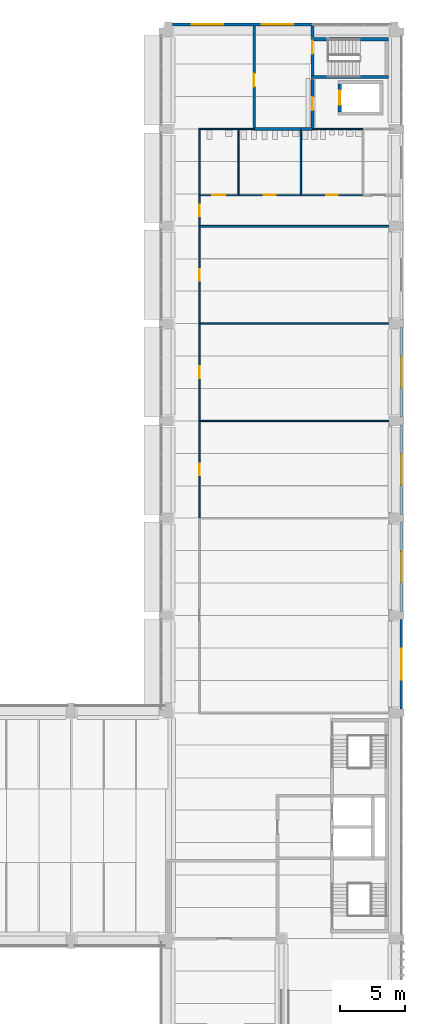
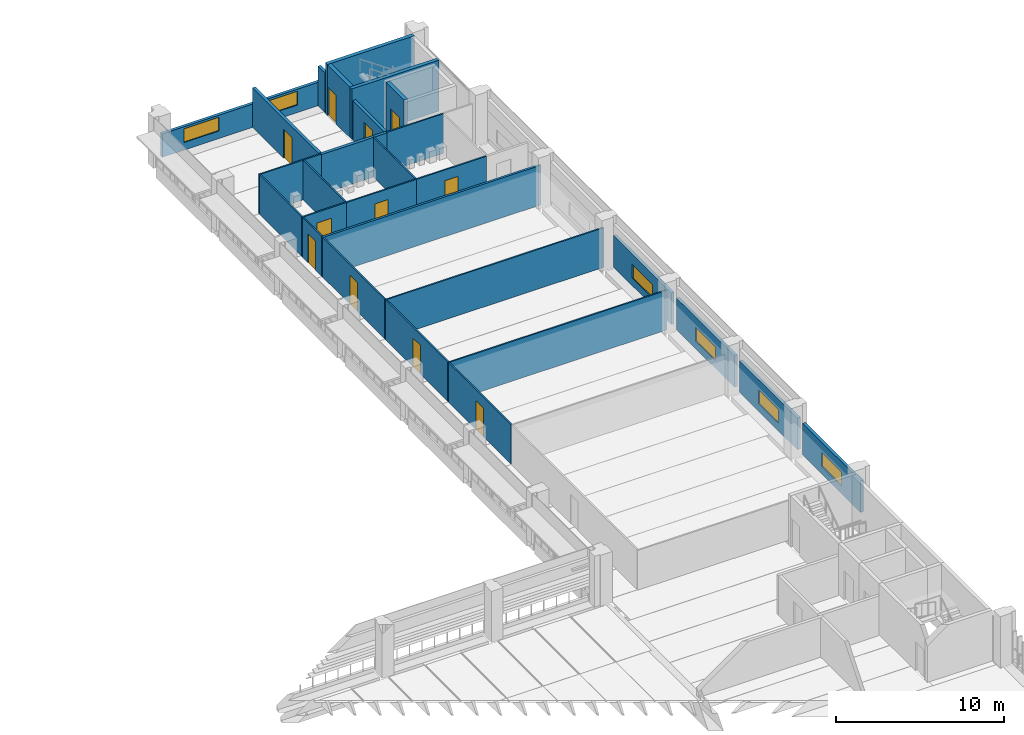
# One storey, part 38 of 61: 30 walls, 11 doors, 6 windows, 17 openings.
"""IFC4 building model written with IfcOpenShell, lengths in metres."""

from ifc_helpers import new_model, si_unit, direction, frame, frame_2d, origin, place, context, subcontext, project, spatial, rectangle, extrude, material, layer, layer_set, type_object, element, fill, save


model = new_model("IFC4")

# Units and contexts
model_context = context("Model", 3, precision=1e-05, world=origin(), true_north=direction((0.0, 1.0)))
body_context = subcontext(model_context, "Body", "Model", "MODEL_VIEW")
ifc_project = project(units=[si_unit("LENGTHUNIT", "METRE"), si_unit("AREAUNIT", "SQUARE_METRE"), si_unit("VOLUMEUNIT", "CUBIC_METRE"), si_unit("PLANEANGLEUNIT", "RADIAN"), si_unit("MASSUNIT", "GRAM", prefix="KILO")], contexts=[model_context])

# Site, building, storey
site_placement = place(None, origin())
site = spatial("IfcSite", under=ifc_project, at=site_placement, CompositionType="ELEMENT")
building_placement = place(site_placement, origin())
building = spatial("IfcBuilding", under=site, at=building_placement, Name="Cour d'Honneur Mobility Palace", CompositionType="ELEMENT")
storey_placement = place(building_placement, frame((0.0, 0.0, 11.89990234375)))
storey = spatial("IfcBuildingStorey", under=building, at=storey_placement, Name="L03", CompositionType="ELEMENT", Elevation=11.89990234375)

# Wall, opening, door
ifc_material_1 = material(Name="Concrete C50", Category="concrete")
ifc_layer_1 = layer(ifc_material_1, 0.25)
ifc_layer_set_1 = layer_set([ifc_layer_1], Name="Concrete C50")
wall_type_1 = type_object("IfcWallType", Name="Lift shaft wall 250", PredefinedType="SHEAR", material=ifc_layer_set_1)
wall_1_placement = place(storey_placement, frame((158.10009765625, 108.72509765625, 0.0), z_axis=(0.0, 0.0, 1.0), x_axis=(0.0, 1.0, 0.0)))
wall_1 = element("IfcWall", 1, at=wall_1_placement, inside=storey, type_object=wall_type_1, Name="Lift shaft wall WL-NE6 L03", PredefinedType="SHEAR", context=body_context, shape_type="SweptSolid", body=[
    extrude(rectangle(XDim=2.14990234375, YDim=0.25, at=frame_2d((1.074951171875, 0.0))), origin(), (0.0, 0.0, 1.0), 3.7001953125),
])
opening_1_placement = place(wall_1_placement, frame((0.52490234375, 0.0, 0.0)))
opening_1 = element("IfcOpeningElement", 2, at=opening_1_placement, cuts=wall_1, Name="Opening LD62", PredefinedType="OPENING", context=body_context, shape_type="SweptSolid", body=[
    extrude(rectangle(XDim=1.10009765625, YDim=2.10009765625, at=frame_2d((0.550048828125, 1.050048828125))), frame((0.0, 0.135009765625, 0.0), z_axis=(0.0, -1.0, 0.0), x_axis=(1.0, 0.0, 0.0)), (0.0, 0.0, 1.0), 0.27001953125),
])
ifc_material_2 = material(Name="Stainless steel", Category="steel")
door_type_1 = type_object("IfcDoorType", Name="Landing door 1100 x 2100", OperationType="SLIDING_TO_LEFT", PredefinedType="DOOR", material=ifc_material_2)
door_1_placement = place(opening_1_placement, origin())
door_1 = element("IfcDoor", 3, at=door_1_placement, inside=storey, type_object=door_type_1, Name="Landing door LF-NE1 L03", OperationType="SLIDING_TO_LEFT", OverallHeight=2.10009765625, OverallWidth=1.10009765625, PredefinedType="DOOR", context=body_context, shape_type="SweptSolid", body=[
    extrude(rectangle(XDim=1.10009765625, YDim=2.10009765625, at=frame_2d((0.550048828125, 1.050048828125))), frame((0.0, 0.02490234375, 0.0), z_axis=(0.0, -1.0, 0.0), x_axis=(1.0, 0.0, 0.0)), (0.0, 0.0, 1.0), 0.050048828125),
])
fill(opening_1, door_1)

ifc_material_3 = material(Name="Concrete C50", Category="concrete")
ifc_layer_2 = layer(ifc_material_3, 0.199951171875)
ifc_layer_set_2 = layer_set([ifc_layer_2], Name="Concrete C50")
wall_type_2 = type_object("IfcWallType", Name="Load-bearing lobby wall 200 rated EI 120", PredefinedType="PARTITIONING", material=ifc_layer_set_2)
wall_2_placement = place(storey_placement, frame((156.0, 107.5, 0.0), z_axis=(0.0, 0.0, 1.0), x_axis=(0.0, 1.0, 0.0)))
wall_2 = element("IfcWall", 4, at=wall_2_placement, inside=storey, type_object=wall_type_2, Name="Partition 083", PredefinedType="PARTITIONING", context=body_context, shape_type="SweptSolid", body=[
    extrude(rectangle(XDim=3.72509765625, YDim=0.199951171875, at=frame_2d((1.862548828125, 0.0))), origin(), (0.0, 0.0, 1.0), 2.880126953125),
])
opening_2_placement = place(wall_2_placement, frame((1.362548828125, 0.0, 0.0)))
opening_2 = element("IfcOpeningElement", 5, at=opening_2_placement, cuts=wall_2, Name="Opening D0331", PredefinedType="OPENING", context=body_context, shape_type="SweptSolid", body=[
    extrude(rectangle(XDim=1.0, YDim=2.10009765625, at=frame_2d((0.5, 1.050048828125))), frame((0.0, 0.10986328125, 0.0), z_axis=(0.0, -1.0, 0.0), x_axis=(1.0, 0.0, 0.0)), (0.0, 0.0, 1.0), 0.219970703125),
])
ifc_material_4 = material(Name="Galvanised steel", Category="steel")
door_type_2 = type_object("IfcDoorType", Name="Fire door FD120 1000 x 2100", OperationType="SINGLE_SWING_LEFT", PredefinedType="DOOR", material=ifc_material_4)
door_2_placement = place(opening_2_placement, origin())
door_2 = element("IfcDoor", 6, at=door_2_placement, inside=storey, type_object=door_type_2, Name="Door Lift Lobby", OperationType="SINGLE_SWING_RIGHT", OverallHeight=2.10009765625, OverallWidth=1.0, PredefinedType="DOOR", context=body_context, shape_type="SweptSolid", body=[
    extrude(rectangle(XDim=1.0, YDim=2.10009765625, at=frame_2d((0.5, 1.050048828125))), frame((0.0, 0.02490234375, 0.0), z_axis=(0.0, -1.0, 0.0), x_axis=(1.0, 0.0, 0.0)), (0.0, 0.0, 1.0), 0.050048828125),
])
fill(opening_2, door_2)

ifc_material_5 = material(Name="Gypsum plasterboard")
ifc_layer_3 = layer(ifc_material_5, 0.10009765625)
ifc_layer_set_3 = layer_set([ifc_layer_3], Name="Gypsum plasterboard")
wall_type_3 = type_object("IfcWallType", Name="Partition 100", PredefinedType="PARTITIONING", material=ifc_layer_set_3)
wall_3_placement = place(storey_placement, frame((147.300048828125, 84.85009765625, 0.0), z_axis=(0.0, 0.0, 1.0), x_axis=(0.0, -1.0, 0.0)))
wall_3 = element("IfcWall", 7, at=wall_3_placement, inside=storey, type_object=wall_type_3, Name="Partition 048", PredefinedType="PARTITIONING", context=body_context, shape_type="SweptSolid", body=[
    extrude(rectangle(XDim=7.400146484375, YDim=0.10009765625, at=frame_2d((3.7001953125, 0.0))), origin(), (0.0, 0.0, 1.0), 2.880126953125),
])
opening_3_placement = place(wall_3_placement, frame((3.25, 0.0, 0.0)))
opening_3 = element("IfcOpeningElement", 8, at=opening_3_placement, cuts=wall_3, Name="Opening D0321", PredefinedType="OPENING", context=body_context, shape_type="SweptSolid", body=[
    extrude(rectangle(XDim=0.89990234375, YDim=2.10009765625, at=frame_2d((0.449951171875, 1.050048828125))), frame((0.0, 0.06005859375, 0.0), z_axis=(0.0, -1.0, 0.0), x_axis=(1.0, 0.0, 0.0)), (0.0, 0.0, 1.0), 0.1201171875),
])
ifc_material_6 = material(Name="Solid timber", Category="wood")
door_type_3 = type_object("IfcDoorType", Name="Single door 900 x 2100", OperationType="SINGLE_SWING_LEFT", PredefinedType="DOOR", material=ifc_material_6)
door_3_placement = place(opening_3_placement, origin())
door_3 = element("IfcDoor", 9, at=door_3_placement, inside=storey, type_object=door_type_3, Name="Door Staff Room", OperationType="SINGLE_SWING_LEFT", OverallHeight=2.10009765625, OverallWidth=0.89990234375, PredefinedType="DOOR", context=body_context, shape_type="SweptSolid", body=[
    extrude(rectangle(XDim=0.89990234375, YDim=2.10009765625, at=frame_2d((0.449951171875, 1.050048828125))), frame((0.0, 0.02490234375, 0.0), z_axis=(0.0, -1.0, 0.0), x_axis=(1.0, 0.0, 0.0)), (0.0, 0.0, 1.0), 0.050048828125),
])
fill(opening_3, door_3)

# Wall
wall_4_placement = place(storey_placement, frame((162.239990234375, 84.89990234375, 0.0), z_axis=(0.0, 0.0, 1.0), x_axis=(-1.0, 0.0, 0.0)))
element("IfcWall", 10, at=wall_4_placement, inside=storey, type_object=wall_type_3, Name="Partition 049", PredefinedType="PARTITIONING", context=body_context, shape_type="SweptSolid", body=[
    extrude(rectangle(XDim=14.989990234375, YDim=0.10009765625, at=frame_2d((7.4951171875, 0.0))), origin(), (0.0, 0.0, 1.0), 2.880126953125),
])

# Wall, opening, door
wall_5_placement = place(storey_placement, frame((147.300048828125, 92.35009765625, 0.0), z_axis=(0.0, 0.0, 1.0), x_axis=(0.0, -1.0, 0.0)))
wall_5 = element("IfcWall", 11, at=wall_5_placement, inside=storey, type_object=wall_type_3, Name="Partition 050", PredefinedType="PARTITIONING", context=body_context, shape_type="SweptSolid", body=[
    extrude(rectangle(XDim=7.400146484375, YDim=0.10009765625, at=frame_2d((3.7001953125, 0.0))), origin(), (0.0, 0.0, 1.0), 2.880126953125),
])
opening_4_placement = place(wall_5_placement, frame((3.25, 0.0, 0.0)))
opening_4 = element("IfcOpeningElement", 12, at=opening_4_placement, cuts=wall_5, Name="Opening D0322", PredefinedType="OPENING", context=body_context, shape_type="SweptSolid", body=[
    extrude(rectangle(XDim=0.89990234375, YDim=2.10009765625, at=frame_2d((0.449951171875, 1.050048828125))), frame((0.0, 0.06005859375, 0.0), z_axis=(0.0, -1.0, 0.0), x_axis=(1.0, 0.0, 0.0)), (0.0, 0.0, 1.0), 0.1201171875),
])
door_4_placement = place(opening_4_placement, origin())
door_4 = element("IfcDoor", 13, at=door_4_placement, inside=storey, type_object=door_type_3, Name="Door Staff Locker Room", OperationType="SINGLE_SWING_LEFT", OverallHeight=2.10009765625, OverallWidth=0.89990234375, PredefinedType="DOOR", context=body_context, shape_type="SweptSolid", body=[
    extrude(rectangle(XDim=0.89990234375, YDim=2.10009765625, at=frame_2d((0.449951171875, 1.050048828125))), frame((0.0, 0.02490234375, 0.0), z_axis=(0.0, -1.0, 0.0), x_axis=(1.0, 0.0, 0.0)), (0.0, 0.0, 1.0), 0.050048828125),
])
fill(opening_4, door_4)

# Wall
wall_6_placement = place(storey_placement, frame((162.239990234375, 92.39990234375, 0.0), z_axis=(0.0, 0.0, 1.0), x_axis=(-1.0, 0.0, 0.0)))
element("IfcWall", 14, at=wall_6_placement, inside=storey, type_object=wall_type_3, Name="Partition 051", PredefinedType="PARTITIONING", context=body_context, shape_type="SweptSolid", body=[
    extrude(rectangle(XDim=14.989990234375, YDim=0.10009765625, at=frame_2d((7.4951171875, 0.0))), origin(), (0.0, 0.0, 1.0), 2.880126953125),
])

# Wall, opening, door
wall_7_placement = place(storey_placement, frame((147.300048828125, 99.824951171875, 0.0), z_axis=(0.0, 0.0, 1.0), x_axis=(0.0, -1.0, 0.0)))
wall_7 = element("IfcWall", 15, at=wall_7_placement, inside=storey, type_object=wall_type_3, Name="Partition 054", PredefinedType="PARTITIONING", context=body_context, shape_type="SweptSolid", body=[
    extrude(rectangle(XDim=7.375, YDim=0.10009765625, at=frame_2d((3.6875, 0.0))), origin(), (0.0, 0.0, 1.0), 2.880126953125),
])
opening_5_placement = place(wall_7_placement, frame((3.237548828125, 0.0, 0.0)))
opening_5 = element("IfcOpeningElement", 16, at=opening_5_placement, cuts=wall_7, Name="Opening D0323", PredefinedType="OPENING", context=body_context, shape_type="SweptSolid", body=[
    extrude(rectangle(XDim=0.89990234375, YDim=2.10009765625, at=frame_2d((0.449951171875, 1.050048828125))), frame((0.0, 0.06005859375, 0.0), z_axis=(0.0, -1.0, 0.0), x_axis=(1.0, 0.0, 0.0)), (0.0, 0.0, 1.0), 0.1201171875),
])
door_5_placement = place(opening_5_placement, origin())
door_5 = element("IfcDoor", 17, at=door_5_placement, inside=storey, type_object=door_type_3, Name="Door Service Centre Office", OperationType="SINGLE_SWING_LEFT", OverallHeight=2.10009765625, OverallWidth=0.89990234375, PredefinedType="DOOR", context=body_context, shape_type="SweptSolid", body=[
    extrude(rectangle(XDim=0.89990234375, YDim=2.10009765625, at=frame_2d((0.449951171875, 1.050048828125))), frame((0.0, 0.02490234375, 0.0), z_axis=(0.0, -1.0, 0.0), x_axis=(1.0, 0.0, 0.0)), (0.0, 0.0, 1.0), 0.050048828125),
])
fill(opening_5, door_5)

wall_8_placement = place(storey_placement, frame((147.300048828125, 102.25, 0.0), z_axis=(0.0, 0.0, 1.0), x_axis=(0.0, -1.0, 0.0)))
wall_8 = element("IfcWall", 18, at=wall_8_placement, inside=storey, type_object=wall_type_3, Name="Partition 064", PredefinedType="PARTITIONING", context=body_context, shape_type="SweptSolid", body=[
    extrude(rectangle(XDim=2.27490234375, YDim=0.10009765625, at=frame_2d((1.137451171875, 0.0))), origin(), (0.0, 0.0, 1.0), 2.880126953125),
])
opening_6_placement = place(wall_8_placement, frame((0.6875, 0.0, 0.0)))
opening_6 = element("IfcOpeningElement", 19, at=opening_6_placement, cuts=wall_8, Name="Opening D0324", PredefinedType="OPENING", context=body_context, shape_type="SweptSolid", body=[
    extrude(rectangle(XDim=0.89990234375, YDim=2.10009765625, at=frame_2d((0.449951171875, 1.050048828125))), frame((0.0, 0.06005859375, 0.0), z_axis=(0.0, -1.0, 0.0), x_axis=(1.0, 0.0, 0.0)), (0.0, 0.0, 1.0), 0.1201171875),
])
door_6_placement = place(opening_6_placement, origin())
door_6 = element("IfcDoor", 20, at=door_6_placement, inside=storey, type_object=door_type_3, Name="Door WC Corridor East", OperationType="SINGLE_SWING_LEFT", OverallHeight=2.10009765625, OverallWidth=0.89990234375, PredefinedType="DOOR", context=body_context, shape_type="SweptSolid", body=[
    extrude(rectangle(XDim=0.89990234375, YDim=2.10009765625, at=frame_2d((0.449951171875, 1.050048828125))), frame((0.0, 0.02490234375, 0.0), z_axis=(0.0, -1.0, 0.0), x_axis=(1.0, 0.0, 0.0)), (0.0, 0.0, 1.0), 0.050048828125),
])
fill(opening_6, door_6)

wall_9_placement = place(storey_placement, frame((150.300048828125, 102.300048828125, 0.0), z_axis=(0.0, 0.0, 1.0), x_axis=(-1.0, 0.0, 0.0)))
wall_9 = element("IfcWall", 21, at=wall_9_placement, inside=storey, type_object=wall_type_3, Name="Partition 065", PredefinedType="PARTITIONING", context=body_context, shape_type="SweptSolid", body=[
    extrude(rectangle(XDim=3.050048828125, YDim=0.10009765625, at=frame_2d((1.52490234375, 0.0))), origin(), (0.0, 0.0, 1.0), 2.880126953125),
])
opening_7_placement = place(wall_9_placement, frame((1.02490234375, 0.0, 0.0)))
opening_7 = element("IfcOpeningElement", 22, at=opening_7_placement, cuts=wall_9, Name="Opening D0328", PredefinedType="OPENING", context=body_context, shape_type="SweptSolid", body=[
    extrude(rectangle(XDim=1.0, YDim=2.10009765625, at=frame_2d((0.5, 1.050048828125))), frame((0.0, 0.06005859375, 0.0), z_axis=(0.0, -1.0, 0.0), x_axis=(1.0, 0.0, 0.0)), (0.0, 0.0, 1.0), 0.1201171875),
])
ifc_material_7 = material(Name="Solid timber", Category="wood")
door_type_4 = type_object("IfcDoorType", Name="Accessible door 1000 x 2100", OperationType="SINGLE_SWING_LEFT", PredefinedType="DOOR", material=ifc_material_7)
door_7_placement = place(opening_7_placement, origin())
door_7 = element("IfcDoor", 23, at=door_7_placement, inside=storey, type_object=door_type_4, Name="Door Accessible WC East", OperationType="SINGLE_SWING_RIGHT", OverallHeight=2.10009765625, OverallWidth=1.0, PredefinedType="DOOR", context=body_context, shape_type="SweptSolid", body=[
    extrude(rectangle(XDim=1.0, YDim=2.10009765625, at=frame_2d((0.5, 1.050048828125))), frame((0.0, 0.02490234375, 0.0), z_axis=(0.0, -1.0, 0.0), x_axis=(1.0, 0.0, 0.0)), (0.0, 0.0, 1.0), 0.050048828125),
])
fill(opening_7, door_7)

wall_10_placement = place(storey_placement, frame((155.10009765625, 102.300048828125, 0.0), z_axis=(0.0, 0.0, 1.0), x_axis=(-1.0, 0.0, 0.0)))
wall_10 = element("IfcWall", 24, at=wall_10_placement, inside=storey, type_object=wall_type_3, Name="Partition 066", PredefinedType="PARTITIONING", context=body_context, shape_type="SweptSolid", body=[
    extrude(rectangle(XDim=4.800048828125, YDim=0.10009765625, at=frame_2d((2.39990234375, 0.0))), origin(), (0.0, 0.0, 1.0), 2.880126953125),
])
opening_8_placement = place(wall_10_placement, frame((1.949951171875, 0.0, 0.0)))
opening_8 = element("IfcOpeningElement", 25, at=opening_8_placement, cuts=wall_10, Name="Opening D0327", PredefinedType="OPENING", context=body_context, shape_type="SweptSolid", body=[
    extrude(rectangle(XDim=0.89990234375, YDim=2.10009765625, at=frame_2d((0.449951171875, 1.050048828125))), frame((0.0, 0.06005859375, 0.0), z_axis=(0.0, -1.0, 0.0), x_axis=(1.0, 0.0, 0.0)), (0.0, 0.0, 1.0), 0.1201171875),
])
door_8_placement = place(opening_8_placement, origin())
door_8 = element("IfcDoor", 26, at=door_8_placement, inside=storey, type_object=door_type_3, Name="Door WC Women East", OperationType="SINGLE_SWING_LEFT", OverallHeight=2.10009765625, OverallWidth=0.89990234375, PredefinedType="DOOR", context=body_context, shape_type="SweptSolid", body=[
    extrude(rectangle(XDim=0.89990234375, YDim=2.10009765625, at=frame_2d((0.449951171875, 1.050048828125))), frame((0.0, 0.02490234375, 0.0), z_axis=(0.0, -1.0, 0.0), x_axis=(1.0, 0.0, 0.0)), (0.0, 0.0, 1.0), 0.050048828125),
])
fill(opening_8, door_8)

wall_11_placement = place(storey_placement, frame((159.89990234375, 102.300048828125, 0.0), z_axis=(0.0, 0.0, 1.0), x_axis=(-1.0, 0.0, 0.0)))
wall_11 = element("IfcWall", 27, at=wall_11_placement, inside=storey, type_object=wall_type_3, Name="Partition 067", PredefinedType="PARTITIONING", context=body_context, shape_type="SweptSolid", body=[
    extrude(rectangle(XDim=4.7998046875, YDim=0.10009765625, at=frame_2d((2.39990234375, 0.0))), origin(), (0.0, 0.0, 1.0), 2.880126953125),
])
opening_9_placement = place(wall_11_placement, frame((1.949951171875, 0.0, 0.0)))
opening_9 = element("IfcOpeningElement", 28, at=opening_9_placement, cuts=wall_11, Name="Opening D0326", PredefinedType="OPENING", context=body_context, shape_type="SweptSolid", body=[
    extrude(rectangle(XDim=0.89990234375, YDim=2.10009765625, at=frame_2d((0.449951171875, 1.050048828125))), frame((0.0, 0.06005859375, 0.0), z_axis=(0.0, -1.0, 0.0), x_axis=(1.0, 0.0, 0.0)), (0.0, 0.0, 1.0), 0.1201171875),
])
door_9_placement = place(opening_9_placement, origin())
door_9 = element("IfcDoor", 29, at=door_9_placement, inside=storey, type_object=door_type_3, Name="Door WC Men East", OperationType="SINGLE_SWING_LEFT", OverallHeight=2.10009765625, OverallWidth=0.89990234375, PredefinedType="DOOR", context=body_context, shape_type="SweptSolid", body=[
    extrude(rectangle(XDim=0.89990234375, YDim=2.10009765625, at=frame_2d((0.449951171875, 1.050048828125))), frame((0.0, 0.02490234375, 0.0), z_axis=(0.0, -1.0, 0.0), x_axis=(1.0, 0.0, 0.0)), (0.0, 0.0, 1.0), 0.050048828125),
])
fill(opening_9, door_9)

# Walls
for number, where, z_axis, x_axis, name in (
    (30, (147.300048828125, 107.35009765625, 0.0), (0.0, 0.0, 1.0), (0.0, -1.0, 0.0), "Partition 076"),
    (31, (150.300048828125, 107.35009765625, 0.0), (0.0, 0.0, 1.0), (0.0, -1.0, 0.0), "Partition 077"),
):
    element("IfcWall", number, at=place(storey_placement, frame(where, z_axis=z_axis, x_axis=x_axis)), inside=storey, type_object=wall_type_3, Name=name, PredefinedType="PARTITIONING", context=body_context, shape_type="SweptSolid", body=[
        extrude(rectangle(XDim=5.0, YDim=0.10009765625, at=frame_2d((2.5, 0.0))), origin(), (0.0, 0.0, 1.0), 2.880126953125),
    ])
wall_12_placement = place(storey_placement, frame((150.300048828125, 107.39990234375, 0.0), z_axis=(0.0, 0.0, 1.0), x_axis=(-1.0, 0.0, 0.0)))
element("IfcWall", 32, at=wall_12_placement, inside=storey, type_object=wall_type_3, Name="Partition 078", PredefinedType="PARTITIONING", context=body_context, shape_type="SweptSolid", body=[
    extrude(rectangle(XDim=3.050048828125, YDim=0.10009765625, at=frame_2d((1.52490234375, 0.0))), origin(), (0.0, 0.0, 1.0), 2.880126953125),
])
wall_13_placement = place(storey_placement, frame((151.5, 107.39990234375, 0.0), z_axis=(0.0, 0.0, 1.0), x_axis=(-1.0, 0.0, 0.0)))
element("IfcWall", 33, at=wall_13_placement, inside=storey, type_object=wall_type_3, Name="Partition 079", PredefinedType="PARTITIONING", context=body_context, shape_type="SweptSolid", body=[
    extrude(rectangle(XDim=1.199951171875, YDim=0.10009765625, at=frame_2d((0.60009765625, 0.0))), origin(), (0.0, 0.0, 1.0), 2.880126953125),
])
wall_14_placement = place(storey_placement, frame((155.10009765625, 107.300048828125, 0.0), z_axis=(0.0, 0.0, 1.0), x_axis=(0.0, -1.0, 0.0)))
element("IfcWall", 34, at=wall_14_placement, inside=storey, type_object=wall_type_3, Name="Partition 081", PredefinedType="PARTITIONING", context=body_context, shape_type="SweptSolid", body=[
    extrude(rectangle(XDim=4.949951171875, YDim=0.10009765625, at=frame_2d((2.47509765625, 0.0))), origin(), (0.0, 0.0, 1.0), 2.880126953125),
])
wall_15_placement = place(storey_placement, frame((159.89990234375, 107.39990234375, 0.0), z_axis=(0.0, 0.0, 1.0), x_axis=(-1.0, 0.0, 0.0)))
element("IfcWall", 35, at=wall_15_placement, inside=storey, type_object=wall_type_3, Name="Partition 085", PredefinedType="PARTITIONING", context=body_context, shape_type="SweptSolid", body=[
    extrude(rectangle(XDim=3.89990234375, YDim=0.10009765625, at=frame_2d((1.949951171875, 0.0))), origin(), (0.0, 0.0, 1.0), 2.880126953125),
])
ifc_material_8 = material(Name="Gypsum plasterboard")
ifc_layer_4 = layer(ifc_material_8, 0.14990234375)
ifc_layer_set_4 = layer_set([ifc_layer_4], Name="Gypsum plasterboard")
wall_type_4 = type_object("IfcWallType", Name="Partition 150 rated EI 60", PredefinedType="PARTITIONING", material=ifc_layer_set_4)
wall_16_placement = place(storey_placement, frame((162.239990234375, 99.89990234375, 0.0), z_axis=(0.0, 0.0, 1.0), x_axis=(-1.0, 0.0, 0.0)))
element("IfcWall", 36, at=wall_16_placement, inside=storey, type_object=wall_type_4, Name="Partition 055", PredefinedType="PARTITIONING", context=body_context, shape_type="SweptSolid", body=[
    extrude(rectangle(XDim=14.989990234375, YDim=0.14990234375, at=frame_2d((7.4951171875, 0.0))), origin(), (0.0, 0.0, 1.0), 2.880126953125),
])
ifc_material_9 = material(Name="Gypsum plasterboard")
ifc_layer_5 = layer(ifc_material_9, 0.199951171875)
ifc_layer_set_5 = layer_set([ifc_layer_5], Name="Gypsum plasterboard")
wall_type_5 = type_object("IfcWallType", Name="Partition 200 rated EI 120", PredefinedType="PARTITIONING", material=ifc_layer_set_5)
wall_17_placement = place(storey_placement, frame((151.5, 107.39990234375, 0.0), z_axis=(0.0, 0.0, 1.0), x_axis=(1.0, 0.0, 0.0)))
element("IfcWall", 37, at=wall_17_placement, inside=storey, type_object=wall_type_5, Name="Partition 080", PredefinedType="PARTITIONING", context=body_context, shape_type="SweptSolid", body=[
    extrude(rectangle(XDim=3.60009765625, YDim=0.199951171875, at=frame_2d((1.800048828125, 0.0))), origin(), (0.0, 0.0, 1.0), 2.880126953125),
])
wall_18_placement = place(storey_placement, frame((155.10009765625, 107.39990234375, 0.0), z_axis=(0.0, 0.0, 1.0), x_axis=(1.0, 0.0, 0.0)))
element("IfcWall", 38, at=wall_18_placement, inside=storey, type_object=wall_type_5, Name="Partition 082", PredefinedType="PARTITIONING", context=body_context, shape_type="SweptSolid", body=[
    extrude(rectangle(XDim=0.89990234375, YDim=0.199951171875, at=frame_2d((0.449951171875, 0.0))), origin(), (0.0, 0.0, 1.0), 2.880126953125),
])
wall_19_placement = place(storey_placement, frame((156.0, 114.5, 0.0), z_axis=(0.0, 0.0, 1.0), x_axis=(0.0, 1.0, 0.0)))
element("IfcWall", 39, at=wall_19_placement, inside=storey, type_object=wall_type_5, Name="Partition 088", PredefinedType="PARTITIONING", context=body_context, shape_type="SweptSolid", body=[
    extrude(rectangle(XDim=0.85009765625, YDim=0.199951171875, at=frame_2d((0.425048828125, 0.0))), origin(), (0.0, 0.0, 1.0), 2.880126953125),
])

# Wall, opening, door
wall_20_placement = place(storey_placement, frame((151.5, 115.35009765625, 0.0), z_axis=(0.0, 0.0, 1.0), x_axis=(0.0, -1.0, 0.0)))
wall_20 = element("IfcWall", 40, at=wall_20_placement, inside=storey, type_object=wall_type_5, Name="Partition 090", PredefinedType="PARTITIONING", context=body_context, shape_type="SweptSolid", body=[
    extrude(rectangle(XDim=7.85009765625, YDim=0.199951171875, at=frame_2d((3.925048828125, 0.0))), origin(), (0.0, 0.0, 1.0), 2.880126953125),
])
opening_10_placement = place(wall_20_placement, frame((3.679931640625, 0.0, 0.0)))
opening_10 = element("IfcOpeningElement", 41, at=opening_10_placement, cuts=wall_20, Name="Opening D0303", PredefinedType="OPENING", context=body_context, shape_type="SweptSolid", body=[
    extrude(rectangle(XDim=1.0, YDim=2.10009765625, at=frame_2d((0.5, 1.050048828125))), frame((0.0, 0.10986328125, 0.0), z_axis=(0.0, -1.0, 0.0), x_axis=(1.0, 0.0, 0.0)), (0.0, 0.0, 1.0), 0.219970703125),
])
door_10_placement = place(opening_10_placement, origin())
door_10 = element("IfcDoor", 42, at=door_10_placement, inside=storey, type_object=door_type_2, Name="Door Lift Lobby NE", OperationType="SINGLE_SWING_RIGHT", OverallHeight=2.10009765625, OverallWidth=1.0, PredefinedType="DOOR", context=body_context, shape_type="SweptSolid", body=[
    extrude(rectangle(XDim=1.0, YDim=2.10009765625, at=frame_2d((0.5, 1.050048828125))), frame((0.0, 0.02490234375, 0.0), z_axis=(0.0, -1.0, 0.0), x_axis=(1.0, 0.0, 0.0)), (0.0, 0.0, 1.0), 0.050048828125),
])
fill(opening_10, door_10)

# Wall, opening, window
ifc_material_10 = material(Name="Concrete C40", Category="concrete")
ifc_layer_6 = layer(ifc_material_10, 0.199951171875)
ifc_layer_set_6 = layer_set([ifc_layer_6], Name="Concrete C40")
wall_type_6 = type_object("IfcWallType", Name="Spandrel panel", PredefinedType="SOLIDWALL", material=ifc_layer_set_6)
wall_21_placement = place(storey_placement, frame((162.85009765625, 62.699951171875, 0.0), z_axis=(0.0, 0.0, 1.0), x_axis=(0.0, 1.0, 0.0)))
wall_21 = element("IfcWall", 43, at=wall_21_placement, inside=storey, type_object=wall_type_6, Name="Spandrel panel SW-49", PredefinedType="SOLIDWALL", context=body_context, shape_type="SweptSolid", body=[
    extrude(rectangle(XDim=6.900146484375, YDim=0.199951171875, at=frame_2d((3.4501953125, 0.0))), origin(), (0.0, 0.0, 1.0), 2.300048828125),
])
opening_11_placement = place(wall_21_placement, frame((2.25, 0.0, 0.550048828125)))
opening_11 = element("IfcOpeningElement", 44, at=opening_11_placement, cuts=wall_21, Name="Opening W2-49", PredefinedType="OPENING", context=body_context, shape_type="SweptSolid", body=[
    extrude(rectangle(XDim=2.39990234375, YDim=1.0, at=frame_2d((1.199951171875, 0.5))), frame((0.0, 0.10986328125, 0.0), z_axis=(0.0, -1.0, 0.0), x_axis=(1.0, 0.0, 0.0)), (0.0, 0.0, 1.0), 0.219970703125),
])
ifc_material_11 = material(Name="Aluminium frame and glass", Category="aluminium")
window_type = type_object("IfcWindowType", Name="Gallery window W2", PartitioningType="TRIPLE_PANEL_VERTICAL", PredefinedType="WINDOW", material=ifc_material_11)
window_1_placement = place(opening_11_placement, origin())
window_1 = element("IfcWindow", 45, at=window_1_placement, inside=storey, type_object=window_type, Name="Gallery window W2 W2-49", OverallHeight=1.0, OverallWidth=2.39990234375, PartitioningType="SINGLE_PANEL", PredefinedType="WINDOW", context=body_context, shape_type="SweptSolid", body=[
    extrude(rectangle(XDim=2.39990234375, YDim=1.0, at=frame_2d((1.199951171875, 0.5))), frame((0.0, 0.030029296875, 0.0), z_axis=(0.0, -1.0, 0.0), x_axis=(1.0, 0.0, 0.0)), (0.0, 0.0, 1.0), 0.06005859375),
])
fill(opening_11, window_1)

wall_22_placement = place(storey_placement, frame((162.85009765625, 70.199951171875, 0.0), z_axis=(0.0, 0.0, 1.0), x_axis=(0.0, 1.0, 0.0)))
wall_22 = element("IfcWall", 46, at=wall_22_placement, inside=storey, type_object=wall_type_6, Name="Spandrel panel SW-50", PredefinedType="SOLIDWALL", context=body_context, shape_type="SweptSolid", body=[
    extrude(rectangle(XDim=6.900146484375, YDim=0.199951171875, at=frame_2d((3.4501953125, 0.0))), origin(), (0.0, 0.0, 1.0), 2.300048828125),
])
opening_12_placement = place(wall_22_placement, frame((2.25, 0.0, 0.550048828125)))
opening_12 = element("IfcOpeningElement", 47, at=opening_12_placement, cuts=wall_22, Name="Opening W2-50", PredefinedType="OPENING", context=body_context, shape_type="SweptSolid", body=[
    extrude(rectangle(XDim=2.39990234375, YDim=1.0, at=frame_2d((1.199951171875, 0.5))), frame((0.0, 0.10986328125, 0.0), z_axis=(0.0, -1.0, 0.0), x_axis=(1.0, 0.0, 0.0)), (0.0, 0.0, 1.0), 0.219970703125),
])
window_2_placement = place(opening_12_placement, origin())
window_2 = element("IfcWindow", 48, at=window_2_placement, inside=storey, type_object=window_type, Name="Gallery window W2 W2-50", OverallHeight=1.0, OverallWidth=2.39990234375, PartitioningType="SINGLE_PANEL", PredefinedType="WINDOW", context=body_context, shape_type="SweptSolid", body=[
    extrude(rectangle(XDim=2.39990234375, YDim=1.0, at=frame_2d((1.199951171875, 0.5))), frame((0.0, 0.030029296875, 0.0), z_axis=(0.0, -1.0, 0.0), x_axis=(1.0, 0.0, 0.0)), (0.0, 0.0, 1.0), 0.06005859375),
])
fill(opening_12, window_2)

wall_23_placement = place(storey_placement, frame((162.85009765625, 77.699951171875, 0.0), z_axis=(0.0, 0.0, 1.0), x_axis=(0.0, 1.0, 0.0)))
wall_23 = element("IfcWall", 49, at=wall_23_placement, inside=storey, type_object=wall_type_6, Name="Spandrel panel SW-51", PredefinedType="SOLIDWALL", context=body_context, shape_type="SweptSolid", body=[
    extrude(rectangle(XDim=6.900146484375, YDim=0.199951171875, at=frame_2d((3.4501953125, 0.0))), origin(), (0.0, 0.0, 1.0), 2.300048828125),
])
opening_13_placement = place(wall_23_placement, frame((2.25, 0.0, 0.550048828125)))
opening_13 = element("IfcOpeningElement", 50, at=opening_13_placement, cuts=wall_23, Name="Opening W2-51", PredefinedType="OPENING", context=body_context, shape_type="SweptSolid", body=[
    extrude(rectangle(XDim=2.39990234375, YDim=1.0, at=frame_2d((1.199951171875, 0.5))), frame((0.0, 0.10986328125, 0.0), z_axis=(0.0, -1.0, 0.0), x_axis=(1.0, 0.0, 0.0)), (0.0, 0.0, 1.0), 0.219970703125),
])
window_3_placement = place(opening_13_placement, origin())
window_3 = element("IfcWindow", 51, at=window_3_placement, inside=storey, type_object=window_type, Name="Gallery window W2 W2-51", OverallHeight=1.0, OverallWidth=2.39990234375, PartitioningType="SINGLE_PANEL", PredefinedType="WINDOW", context=body_context, shape_type="SweptSolid", body=[
    extrude(rectangle(XDim=2.39990234375, YDim=1.0, at=frame_2d((1.199951171875, 0.5))), frame((0.0, 0.030029296875, 0.0), z_axis=(0.0, -1.0, 0.0), x_axis=(1.0, 0.0, 0.0)), (0.0, 0.0, 1.0), 0.06005859375),
])
fill(opening_13, window_3)

wall_24_placement = place(storey_placement, frame((162.85009765625, 85.199951171875, 0.0), z_axis=(0.0, 0.0, 1.0), x_axis=(0.0, 1.0, 0.0)))
wall_24 = element("IfcWall", 52, at=wall_24_placement, inside=storey, type_object=wall_type_6, Name="Spandrel panel SW-52", PredefinedType="SOLIDWALL", context=body_context, shape_type="SweptSolid", body=[
    extrude(rectangle(XDim=6.900146484375, YDim=0.199951171875, at=frame_2d((3.4501953125, 0.0))), origin(), (0.0, 0.0, 1.0), 2.300048828125),
])
opening_14_placement = place(wall_24_placement, frame((2.25, 0.0, 0.550048828125)))
opening_14 = element("IfcOpeningElement", 53, at=opening_14_placement, cuts=wall_24, Name="Opening W2-52", PredefinedType="OPENING", context=body_context, shape_type="SweptSolid", body=[
    extrude(rectangle(XDim=2.39990234375, YDim=1.0, at=frame_2d((1.199951171875, 0.5))), frame((0.0, 0.10986328125, 0.0), z_axis=(0.0, -1.0, 0.0), x_axis=(1.0, 0.0, 0.0)), (0.0, 0.0, 1.0), 0.219970703125),
])
window_4_placement = place(opening_14_placement, origin())
window_4 = element("IfcWindow", 54, at=window_4_placement, inside=storey, type_object=window_type, Name="Gallery window W2 W2-52", OverallHeight=1.0, OverallWidth=2.39990234375, PartitioningType="SINGLE_PANEL", PredefinedType="WINDOW", context=body_context, shape_type="SweptSolid", body=[
    extrude(rectangle(XDim=2.39990234375, YDim=1.0, at=frame_2d((1.199951171875, 0.5))), frame((0.0, 0.030029296875, 0.0), z_axis=(0.0, -1.0, 0.0), x_axis=(1.0, 0.0, 0.0)), (0.0, 0.0, 1.0), 0.06005859375),
])
fill(opening_14, window_4)

# Wall, openings, windows
wall_25_placement = place(storey_placement, frame((156.0, 115.449951171875, 0.0), z_axis=(0.0, 0.0, 1.0), x_axis=(-1.0, 0.0, 0.0)))
wall_25 = element("IfcWall", 55, at=wall_25_placement, inside=storey, type_object=wall_type_6, Name="Spandrel panel SW-56", PredefinedType="SOLIDWALL", context=body_context, shape_type="SweptSolid", body=[
    extrude(rectangle(XDim=10.800048828125, YDim=0.199951171875, at=frame_2d((5.39990234375, 0.0))), origin(), (0.0, 0.0, 1.0), 1.7001953125),
])
opening_15_placement = place(wall_25_placement, frame((1.5, 0.0, 0.550048828125)))
opening_15 = element("IfcOpeningElement", 56, at=opening_15_placement, cuts=wall_25, Name="Opening W2-55", PredefinedType="OPENING", context=body_context, shape_type="SweptSolid", body=[
    extrude(rectangle(XDim=2.39990234375, YDim=1.0, at=frame_2d((1.199951171875, 0.5))), frame((0.0, 0.10986328125, 0.0), z_axis=(0.0, -1.0, 0.0), x_axis=(1.0, 0.0, 0.0)), (0.0, 0.0, 1.0), 0.219970703125),
])
opening_16_placement = place(wall_25_placement, frame((6.89990234375, 0.0, 0.550048828125)))
opening_16 = element("IfcOpeningElement", 57, at=opening_16_placement, cuts=wall_25, Name="Opening W2-56", PredefinedType="OPENING", context=body_context, shape_type="SweptSolid", body=[
    extrude(rectangle(XDim=2.39990234375, YDim=1.0, at=frame_2d((1.199951171875, 0.5))), frame((0.0, 0.10986328125, 0.0), z_axis=(0.0, -1.0, 0.0), x_axis=(1.0, 0.0, 0.0)), (0.0, 0.0, 1.0), 0.219970703125),
])
window_5_placement = place(opening_15_placement, origin())
window_5 = element("IfcWindow", 58, at=window_5_placement, inside=storey, type_object=window_type, Name="Gallery window W2 W2-55", OverallHeight=1.0, OverallWidth=2.39990234375, PartitioningType="SINGLE_PANEL", PredefinedType="WINDOW", context=body_context, shape_type="SweptSolid", body=[
    extrude(rectangle(XDim=2.39990234375, YDim=1.0, at=frame_2d((1.199951171875, 0.5))), frame((0.0, 0.030029296875, 0.0), z_axis=(0.0, -1.0, 0.0), x_axis=(1.0, 0.0, 0.0)), (0.0, 0.0, 1.0), 0.06005859375),
])
fill(opening_15, window_5)
window_6_placement = place(opening_16_placement, origin())
window_6 = element("IfcWindow", 59, at=window_6_placement, inside=storey, type_object=window_type, Name="Gallery window W2 W2-56", OverallHeight=1.0, OverallWidth=2.39990234375, PartitioningType="SINGLE_PANEL", PredefinedType="WINDOW", context=body_context, shape_type="SweptSolid", body=[
    extrude(rectangle(XDim=2.39990234375, YDim=1.0, at=frame_2d((1.199951171875, 0.5))), frame((0.0, 0.030029296875, 0.0), z_axis=(0.0, -1.0, 0.0), x_axis=(1.0, 0.0, 0.0)), (0.0, 0.0, 1.0), 0.06005859375),
])
fill(opening_16, window_6)

# Walls
ifc_material_12 = material(Name="Concrete C50", Category="concrete")
ifc_layer_7 = layer(ifc_material_12, 0.25)
ifc_layer_set_7 = layer_set([ifc_layer_7], Name="Concrete C50")
wall_type_7 = type_object("IfcWallType", Name="Stair wall 250", PredefinedType="SHEAR", material=ifc_layer_set_7)
for number, where, z_axis, x_axis, name in (
    (60, (155.875, 111.39990234375, 0.0), (0.0, 0.0, 1.0), (1.0, 0.0, 0.0), "Stair wall WS-NE3 L03"),
    (61, (155.875, 114.324951171875, 0.0), (0.0, 0.0, 1.0), (1.0, 0.0, 0.0), "Stair wall WS-NE4 L03"),
):
    element("IfcWall", number, at=place(storey_placement, frame(where, z_axis=z_axis, x_axis=x_axis)), inside=storey, type_object=wall_type_7, Name=name, PredefinedType="SHEAR", context=body_context, shape_type="SweptSolid", body=[
        extrude(rectangle(XDim=5.97509765625, YDim=0.25, at=frame_2d((2.987548828125, 0.0))), origin(), (0.0, 0.0, 1.0), 3.7001953125),
    ])

# Wall, opening, door
wall_26_placement = place(storey_placement, frame((156.0, 111.52490234375, 0.0), z_axis=(0.0, 0.0, 1.0), x_axis=(0.0, 1.0, 0.0)))
wall_26 = element("IfcWall", 62, at=wall_26_placement, inside=storey, type_object=wall_type_7, Name="Stair wall WS-NE5 L03", PredefinedType="SHEAR", context=body_context, shape_type="SweptSolid", body=[
    extrude(rectangle(XDim=2.675048828125, YDim=0.25, at=frame_2d((1.33740234375, 0.0))), origin(), (0.0, 0.0, 1.0), 3.7001953125),
])
opening_17_placement = place(wall_26_placement, frame((1.675048828125, 0.0, 0.0)))
opening_17 = element("IfcOpeningElement", 63, at=opening_17_placement, cuts=wall_26, Name="Opening S106", PredefinedType="OPENING", context=body_context, shape_type="SweptSolid", body=[
    extrude(rectangle(XDim=1.0, YDim=2.10009765625, at=frame_2d((0.5, 1.050048828125))), frame((0.0, 0.135009765625, 0.0), z_axis=(0.0, -1.0, 0.0), x_axis=(1.0, 0.0, 0.0)), (0.0, 0.0, 1.0), 0.27001953125),
])
ifc_material_13 = material(Name="Galvanised steel", Category="steel")
door_type_5 = type_object("IfcDoorType", Name="Fire door FD120 stair 1000 x 2100", OperationType="SINGLE_SWING_LEFT", PredefinedType="DOOR", material=ifc_material_13)
door_11_placement = place(opening_17_placement, origin())
door_11 = element("IfcDoor", 64, at=door_11_placement, inside=storey, type_object=door_type_5, Name="Stair door ST-NE1 L03", OperationType="SINGLE_SWING_RIGHT", OverallHeight=2.10009765625, OverallWidth=1.0, PredefinedType="DOOR", context=body_context, shape_type="SweptSolid", body=[
    extrude(rectangle(XDim=1.0, YDim=2.10009765625, at=frame_2d((0.5, 1.050048828125))), frame((0.0, 0.02490234375, 0.0), z_axis=(0.0, -1.0, 0.0), x_axis=(1.0, 0.0, 0.0)), (0.0, 0.0, 1.0), 0.050048828125),
])
fill(opening_17, door_11)

save(model, "model.ifc")
